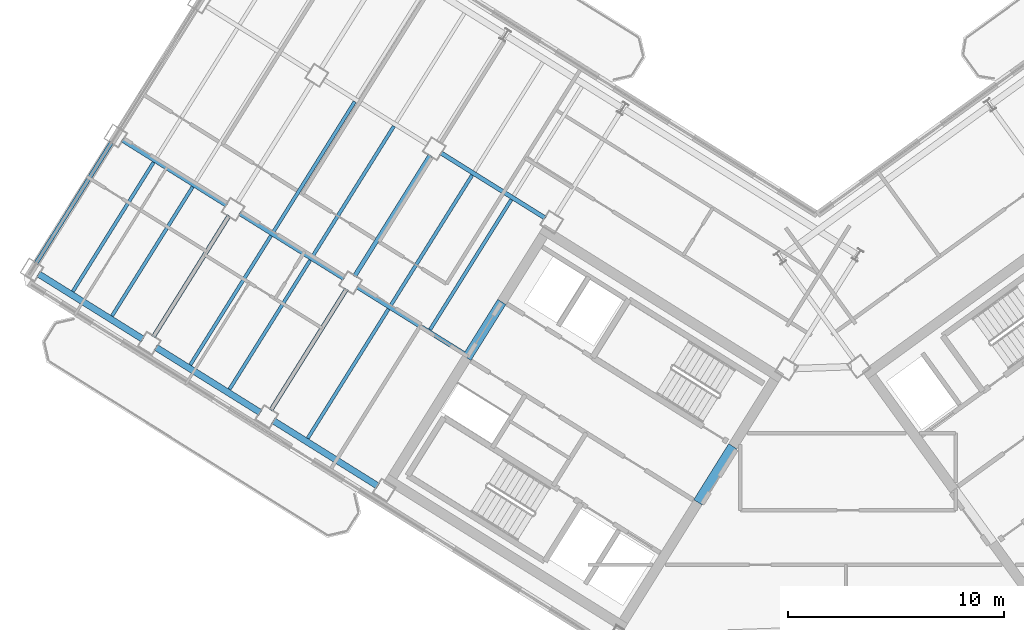
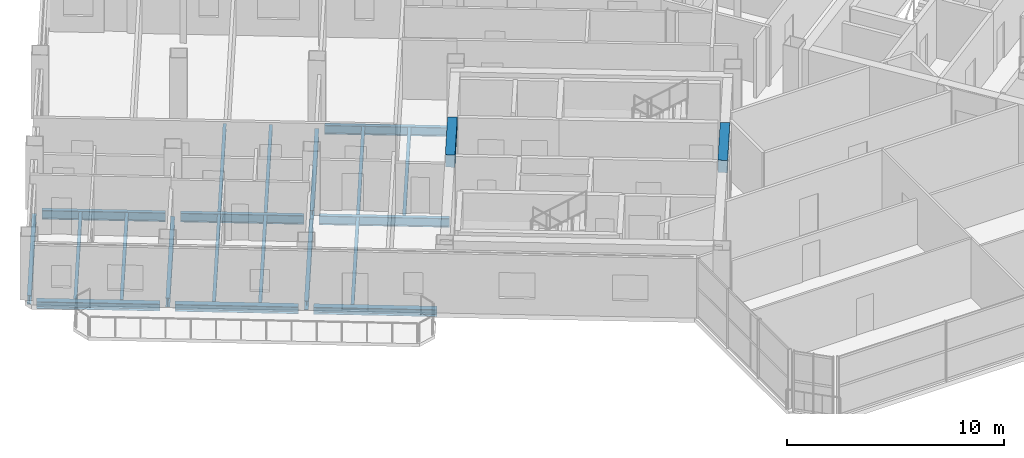
# One storey, part 5 of 21: 22 beams.
"""IFC4 building model written with IfcOpenShell, lengths in metres."""

from ifc_helpers import new_model, si_unit, direction, frame, origin, origin_2d, place, context, subcontext, project, spatial, rectangle, i_section, extrude, source, transform, mapped, material, material_profile, profile_set, type_object, element, save


model = new_model("IFC4")

# Units and contexts
model_context = context("Model", 3, precision=1e-05, world=origin(), true_north=direction((0.0, 1.0)))
body_context = subcontext(model_context, "Body", "Model", "MODEL_VIEW")
ifc_project = project(units=[si_unit("LENGTHUNIT", "METRE"), si_unit("AREAUNIT", "SQUARE_METRE"), si_unit("VOLUMEUNIT", "CUBIC_METRE"), si_unit("PLANEANGLEUNIT", "RADIAN"), si_unit("MASSUNIT", "GRAM", prefix="KILO")], contexts=[model_context])

# Site, building, storey
site_placement = place(None, origin())
site = spatial("IfcSite", under=ifc_project, at=site_placement, CompositionType="ELEMENT")
building_placement = place(site_placement, origin())
building = spatial("IfcBuilding", under=site, at=building_placement, Name="Tlacorven Tower", CompositionType="ELEMENT")
storey_placement = place(building_placement, frame((0.0, 0.0, 214.800048828125)))
storey = spatial("IfcBuildingStorey", under=building, at=storey_placement, Name="L54", CompositionType="ELEMENT", Elevation=214.800048828125)

# Beams
ifc_material_1 = material(Name="Concrete C60/75", Category="concrete")
ifc_material_profile_1 = material_profile(ifc_material_1, rectangle(XDim=0.449951171875, YDim=0.699951171875, at=origin_2d()), Name="RC 450X700")
ifc_profile_set_1 = profile_set([ifc_material_profile_1], Name="Concrete C60/75")
beam_type_1 = type_object("IfcBeamType", Name="BM-LNT-700", PredefinedType="LINTEL", material=ifc_profile_set_1)
shared_shape_1 = source(origin(), body_context, "Body", "SweptSolid", [
    extrude(rectangle(XDim=0.449951171875, YDim=0.699951171875, at=origin_2d()), origin(), (0.0, 0.0, 1.0), 3.050048828125),
])
beam_1_placement = place(storey_placement, frame((38.2998046875, 20.890625, 3.0), z_axis=(-0.529984549635, -0.848007297815, 0.0), x_axis=(0.848007297815, -0.529984549635, 0.0)))
element("IfcBeam", 1, at=beam_1_placement, inside=storey, type_object=beam_type_1, Name="L54 W core coupling lintel beam E1", PredefinedType="LINTEL", context=body_context, shape_type="MappedRepresentation", body=[
    mapped(shared_shape_1, transform((0.0, 0.0, 0.0), scale=1.0)),
])
shared_shape_2 = source(origin(), body_context, "Body", "SweptSolid", [
    extrude(rectangle(XDim=0.449951171875, YDim=0.699951171875, at=origin_2d()), origin(), (0.0, 0.0, 1.0), 3.0498046875),
])
beam_2_placement = place(storey_placement, frame((27.622802734375, 27.562255859375, 3.0), z_axis=(-0.529926983584, -0.848043272522, 0.0), x_axis=(0.848043272522, -0.529926983584, 0.0)))
element("IfcBeam", 2, at=beam_2_placement, inside=storey, type_object=beam_type_1, Name="L54 W core coupling lintel beam E2", PredefinedType="LINTEL", context=body_context, shape_type="MappedRepresentation", body=[
    mapped(shared_shape_2, transform((0.0, 0.0, 0.0), scale=1.0)),
])
ifc_material_2 = material(Name="Steel S355J2", Category="steel")
ifc_material_profile_2 = material_profile(ifc_material_2, i_section(OverallWidth=0.199951171875, OverallDepth=0.5, WebThickness=0.01025390625, FlangeThickness=0.01611328125, at=origin_2d()), Name="IPE 500")
ifc_profile_set_2 = profile_set([ifc_material_profile_2], Name="Steel S355J2")
beam_type_2 = type_object("IfcBeamType", Name="BM-TWR-500", PredefinedType="BEAM", material=ifc_profile_set_2)
shared_shape_3 = source(origin(), body_context, "Body", "SweptSolid", [
    extrude(i_section(OverallWidth=0.199951171875, OverallDepth=0.5, WebThickness=0.01025390625, FlangeThickness=0.01611328125, at=origin_2d()), origin(), (0.0, 0.0, 1.0), 6.010009765625),
])
beam_3_placement = place(storey_placement, frame((26.025634765625, 25.081787109375, -0.5), z_axis=(-0.848043944584, 0.529925908081, 0.0), x_axis=(-0.529925908081, -0.848043944584, 0.0)))
element("IfcBeam", 3, at=beam_3_placement, inside=storey, type_object=beam_type_2, Name="L54 beam BM-L54-WL3-3", PredefinedType="BEAM", context=body_context, shape_type="MappedRepresentation", body=[
    mapped(shared_shape_3, transform((0.0, 0.0, 0.0), scale=1.0)),
])
shared_shape_4 = source(origin(), body_context, "Body", "SweptSolid", [
    extrude(i_section(OverallWidth=0.199951171875, OverallDepth=0.5, WebThickness=0.01025390625, FlangeThickness=0.01611328125, at=origin_2d()), origin(), (0.0, 0.0, 1.0), 5.7001953125),
])
for number, where, z_axis, x_axis, name in (
    (4, (20.335205078125, 28.637451171875, -0.5), (-0.848036800771, 0.529937340199, 0.0), (-0.529937340199, -0.848036800771, 0.0), "L54 beam BM-L54-WL3-4"),
    (5, (14.90771484375, 32.029052734375, -0.5), (-0.848056048787, 0.529906537151, 0.0), (-0.529906537151, -0.848056048787, 0.0), "L54 beam BM-L54-WL3-5"),
):
    element("IfcBeam", number, at=place(storey_placement, frame(where, z_axis=z_axis, x_axis=x_axis)), inside=storey, type_object=beam_type_2, Name=name, PredefinedType="BEAM", context=body_context, shape_type="MappedRepresentation", body=[
        mapped(shared_shape_4, transform((0.0, 0.0, 0.0), scale=1.0)),
    ])
shared_shape_5 = source(origin(), body_context, "Body", "SweptSolid", [
    extrude(i_section(OverallWidth=0.199951171875, OverallDepth=0.5, WebThickness=0.01025390625, FlangeThickness=0.01611328125, at=origin_2d()), origin(), (0.0, 0.0, 1.0), 5.699951171875),
])
beam_4_placement = place(storey_placement, frame((29.631103515625, 31.436767578125, -0.5), z_axis=(-0.848044021115, 0.529925785607, 0.0), x_axis=(-0.529925785607, -0.848044021115, 0.0)))
element("IfcBeam", 6, at=beam_4_placement, inside=storey, type_object=beam_type_2, Name="L54 beam BM-L54-WL2-3", PredefinedType="BEAM", context=body_context, shape_type="MappedRepresentation", body=[
    mapped(shared_shape_5, transform((0.0, 0.0, 0.0), scale=1.0)),
])
shared_shape_6 = source(origin(), body_context, "Body", "SweptSolid", [
    extrude(i_section(OverallWidth=0.199951171875, OverallDepth=0.5, WebThickness=0.01025390625, FlangeThickness=0.01611328125, at=origin_2d()), origin(), (0.0, 0.0, 1.0), 6.599853515625),
])
beam_5_placement = place(storey_placement, frame((24.31494140625, 34.345947265625, -0.5), z_axis=(-0.529942412256, -0.848033631227, 0.0), x_axis=(0.848033631227, -0.529942412256, 0.0)))
element("IfcBeam", 7, at=beam_5_placement, inside=storey, type_object=beam_type_2, Name="L54 beam BM-L54-WT4-2", PredefinedType="BEAM", context=body_context, shape_type="MappedRepresentation", body=[
    mapped(shared_shape_6, transform((0.0, 0.0, 0.0), scale=1.0)),
])
shared_shape_7 = source(origin(), body_context, "Body", "SweptSolid", [
    extrude(i_section(OverallWidth=0.199951171875, OverallDepth=0.5, WebThickness=0.01025390625, FlangeThickness=0.01611328125, at=origin_2d()), origin(), (0.0, 0.0, 1.0), 6.60009765625),
])
for number, where, z_axis, x_axis, name in (
    (8, (20.446533203125, 28.1552734375, -0.5), (-0.529925788294, -0.848044019436, 0.0), (0.848044019436, -0.529925788294, 0.0), "L54 beam BM-L54-WT4-3"),
    (9, (15.01904296875, 31.546875, -0.5), (-0.529925788294, -0.848044019436, 0.0), (0.848044019436, -0.529925788294, 0.0), "L54 beam BM-L54-WT5-3"),
    (10, (9.591552734375, 34.938232421875, -0.5), (-0.529925788294, -0.848044019436, 0.0), (0.848044019436, -0.529925788294, 0.0), "L54 beam BM-L54-WT6-3"),
):
    element("IfcBeam", number, at=place(storey_placement, frame(where, z_axis=z_axis, x_axis=x_axis)), inside=storey, type_object=beam_type_2, Name=name, PredefinedType="BEAM", context=body_context, shape_type="MappedRepresentation", body=[
        mapped(shared_shape_7, transform((0.0, 0.0, 0.0), scale=1.0)),
    ])
ifc_material_profile_3 = material_profile(ifc_material_2, i_section(OverallWidth=0.159912109375, OverallDepth=0.330078125, WebThickness=0.007568359375, FlangeThickness=0.011474609375, at=origin_2d()), Name="IPE 330")
ifc_profile_set_3 = profile_set([ifc_material_profile_3], Name="Steel S355J2")
beam_type_3 = type_object("IfcBeamType", Name="BM-JST-330", PredefinedType="JOIST", material=ifc_profile_set_3)
shared_shape_8 = source(origin(), body_context, "Body", "SweptSolid", [
    extrude(i_section(OverallWidth=0.159912109375, OverallDepth=0.330078125, WebThickness=0.007568359375, FlangeThickness=0.011474609375, at=origin_2d()), origin(), (0.0, 0.0, 1.0), 7.0400390625),
])
for number, where, z_axis, x_axis, name in (
    (11, (18.767333984375, 29.493408203125, -0.4150390625), (-0.529930359501, -0.848041162963, 0.0), (0.848041162963, -0.529930359501, 0.0), "L54 beam BM-L54-WJ4-3-1"),
    (12, (16.9580078125, 30.6240234375, -0.4150390625), (-0.529930359501, -0.848041162963, 0.0), (0.848041162963, -0.529930359501, 0.0), "L54 beam BM-L54-WJ4-3-2"),
    (13, (13.33984375, 32.885009765625, -0.4150390625), (-0.529930359501, -0.848041162963, 0.0), (0.848041162963, -0.529930359501, 0.0), "L54 beam BM-L54-WJ5-3-1"),
):
    element("IfcBeam", number, at=place(storey_placement, frame(where, z_axis=z_axis, x_axis=x_axis)), inside=storey, type_object=beam_type_3, Name=name, PredefinedType="JOIST", context=body_context, shape_type="MappedRepresentation", body=[
        mapped(shared_shape_8, transform((0.0, 0.0, 0.0), scale=1.0)),
    ])
shared_shape_9 = source(origin(), body_context, "Body", "SweptSolid", [
    extrude(i_section(OverallWidth=0.159912109375, OverallDepth=0.330078125, WebThickness=0.007568359375, FlangeThickness=0.011474609375, at=origin_2d()), origin(), (0.0, 0.0, 1.0), 7.090087890625),
])
for number, where, z_axis, x_axis, name in (
    (14, (28.063232421875, 32.292724609375, -0.4150390625), (-0.529912270669, -0.84805246618, 0.0), (0.84805246618, -0.529912270669, 0.0), "L54 beam BM-L54-WJ3-2-1"),
    (15, (26.25390625, 33.42333984375, -0.4150390625), (-0.529912270669, -0.84805246618, 0.0), (0.84805246618, -0.529912270669, 0.0), "L54 beam BM-L54-WJ3-2-2"),
    (16, (22.6357421875, 35.684326171875, -0.4150390625), (-0.529937035031, -0.848036991471, 0.0), (0.848036991471, -0.529937035031, 0.0), "L54 beam BM-L54-WJ4-2-1"),
):
    element("IfcBeam", number, at=place(storey_placement, frame(where, z_axis=z_axis, x_axis=x_axis)), inside=storey, type_object=beam_type_3, Name=name, PredefinedType="JOIST", context=body_context, shape_type="MappedRepresentation", body=[
        mapped(shared_shape_9, transform((0.0, 0.0, 0.0), scale=1.0)),
    ])
shared_shape_10 = source(origin(), body_context, "Body", "SweptSolid", [
    extrude(i_section(OverallWidth=0.159912109375, OverallDepth=0.330078125, WebThickness=0.007568359375, FlangeThickness=0.011474609375, at=origin_2d()), origin(), (0.0, 0.0, 1.0), 7.08984375),
])
beam_6_placement = place(storey_placement, frame((20.826416015625, 36.814697265625, -0.4150390625), z_axis=(-0.529927745663, -0.848042796312, 0.0), x_axis=(0.848042796312, -0.529927745663, 0.0)))
element("IfcBeam", 17, at=beam_6_placement, inside=storey, type_object=beam_type_3, Name="L54 beam BM-L54-WJ4-2-2", PredefinedType="JOIST", context=body_context, shape_type="MappedRepresentation", body=[
    mapped(shared_shape_10, transform((0.0, 0.0, 0.0), scale=1.0)),
])
shared_shape_11 = source(origin(), body_context, "Body", "SweptSolid", [
    extrude(i_section(OverallWidth=0.159912109375, OverallDepth=0.330078125, WebThickness=0.007568359375, FlangeThickness=0.011474609375, at=origin_2d()), origin(), (0.0, 0.0, 1.0), 7.040283203125),
])
for number, where, z_axis, x_axis, name in (
    (18, (22.385498046875, 27.232666015625, -0.4150390625), (-0.529914775015, -0.848050901315, 0.0), (0.848050901315, -0.529914775015, 0.0), "L54 beam BM-L54-WJ3-3-2"),
    (19, (11.530517578125, 34.015625, -0.4150390625), (-0.529914775015, -0.848050901315, 0.0), (0.848050901315, -0.529914775015, 0.0), "L54 beam BM-L54-WJ5-3-2"),
):
    element("IfcBeam", number, at=place(storey_placement, frame(where, z_axis=z_axis, x_axis=x_axis)), inside=storey, type_object=beam_type_3, Name=name, PredefinedType="JOIST", context=body_context, shape_type="MappedRepresentation", body=[
        mapped(shared_shape_11, transform((0.0, 0.0, 0.0), scale=1.0)),
    ])
ifc_material_profile_4 = material_profile(ifc_material_2, i_section(OverallWidth=0.300048828125, OverallDepth=0.389892578125, WebThickness=0.010986328125, FlangeThickness=0.01904296875, at=origin_2d()), Name="HEA 400")
ifc_profile_set_4 = profile_set([ifc_material_profile_4], Name="Steel S355J2")
beam_type_4 = type_object("IfcBeamType", Name="BM-SPN-400", PredefinedType="SPANDREL", material=ifc_profile_set_4)
shared_shape_12 = source(origin(), body_context, "Body", "SweptSolid", [
    extrude(i_section(OverallWidth=0.300048828125, OverallDepth=0.389892578125, WebThickness=0.010986328125, FlangeThickness=0.01904296875, at=origin_2d()), origin(), (0.0, 0.0, 1.0), 5.699951171875),
])
beam_7_placement = place(storey_placement, frame((21.894287109375, 19.055419921875, -0.445068359375), z_axis=(-0.848044021115, 0.529925785607, 0.0), x_axis=(-0.529925785607, -0.848044021115, 0.0)))
element("IfcBeam", 20, at=beam_7_placement, inside=storey, type_object=beam_type_4, Name="L54 beam BM-L54-WL4-3", PredefinedType="SPANDREL", context=body_context, shape_type="MappedRepresentation", body=[
    mapped(shared_shape_12, transform((0.0, 0.0, 0.0), scale=1.0)),
])
shared_shape_13 = source(origin(), body_context, "Body", "SweptSolid", [
    extrude(i_section(OverallWidth=0.300048828125, OverallDepth=0.389892578125, WebThickness=0.010986328125, FlangeThickness=0.01904296875, at=origin_2d()), origin(), (0.0, 0.0, 1.0), 5.7001953125),
])
for number, where, z_axis, x_axis, name in (
    (21, (16.466796875, 22.44677734375, -0.445068359375), (-0.848056048787, 0.529906537151, 0.0), (-0.529906537151, -0.848056048787, 0.0), "L54 beam BM-L54-WL4-4"),
    (22, (11.039306640625, 25.83837890625, -0.445068359375), (-0.848056048787, 0.529906537151, 0.0), (-0.529906537151, -0.848056048787, 0.0), "L54 beam BM-L54-WL4-5"),
):
    element("IfcBeam", number, at=place(storey_placement, frame(where, z_axis=z_axis, x_axis=x_axis)), inside=storey, type_object=beam_type_4, Name=name, PredefinedType="SPANDREL", context=body_context, shape_type="MappedRepresentation", body=[
        mapped(shared_shape_13, transform((0.0, 0.0, 0.0), scale=1.0)),
    ])

save(model, "model.ifc")
